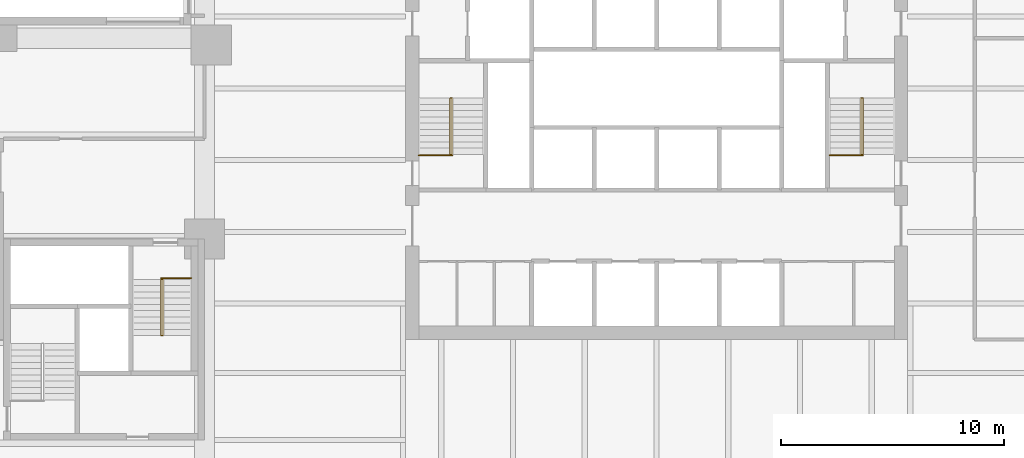
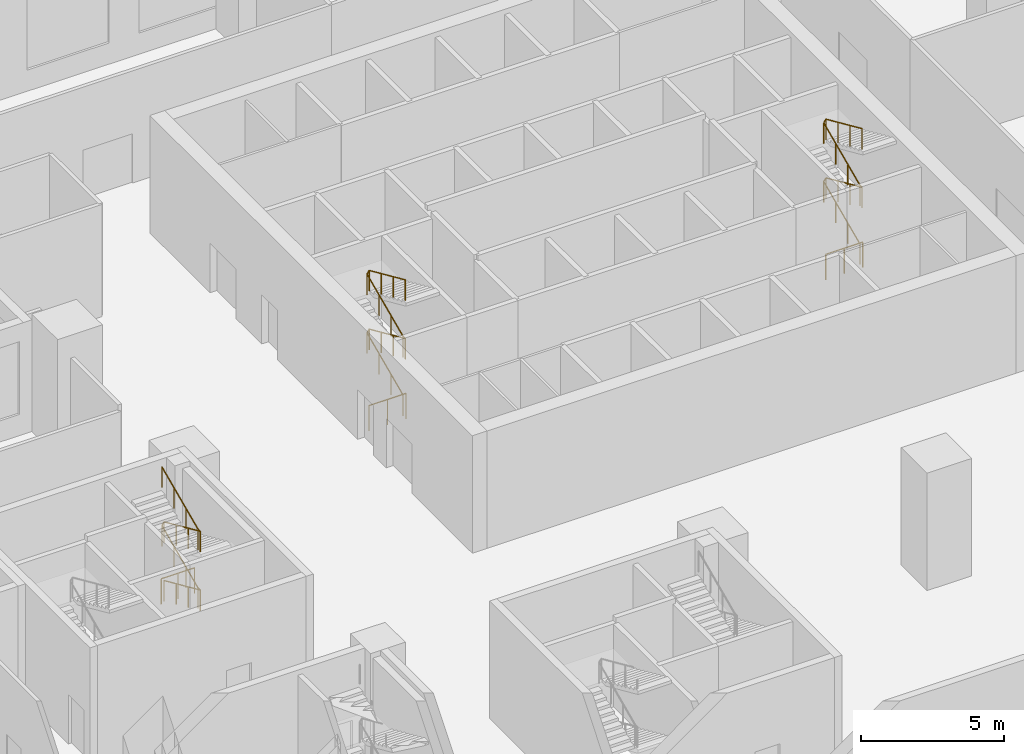
# One storey, part 12 of 12: 6 railings.
"""IFC4 building model written with IfcOpenShell, lengths in metres."""

from ifc_helpers import new_model, si_unit, direction, frame, origin, origin_2d, place, context, subcontext, project, spatial, circle, extrude, material, type_object, element, save


model = new_model("IFC4")

# Units and contexts
model_context = context("Model", 3, precision=1e-05, world=origin(), true_north=direction((0.0, 1.0)))
body_context = subcontext(model_context, "Body", "Model", "MODEL_VIEW")
ifc_project = project(units=[si_unit("LENGTHUNIT", "METRE"), si_unit("AREAUNIT", "SQUARE_METRE"), si_unit("VOLUMEUNIT", "CUBIC_METRE"), si_unit("PLANEANGLEUNIT", "RADIAN"), si_unit("MASSUNIT", "GRAM", prefix="KILO")], contexts=[model_context])

# Site, building, storey
site_placement = place(None, origin())
site = spatial("IfcSite", under=ifc_project, at=site_placement, CompositionType="ELEMENT")
building_placement = place(site_placement, origin())
building = spatial("IfcBuilding", under=site, at=building_placement, Name="Quoin Convention Tower", CompositionType="ELEMENT")
storey_placement = place(building_placement, frame((0.0, 0.0, 13.5)))
storey = spatial("IfcBuildingStorey", under=building, at=storey_placement, Name="L02", CompositionType="ELEMENT", Elevation=13.5)

# Railings
ifc_material = material(Name="Stainless steel", Category="steel")
railing_type_1 = type_object("IfcRailingType", Name="Stair handrail 900", PredefinedType="HANDRAIL", material=ifc_material)
railing_1_placement = place(storey_placement, frame((47.0048828125, 57.800048828125, 0.125)))
element("IfcRailing", 1, at=railing_1_placement, inside=storey, type_object=railing_type_1, Name="SD1 handrail 1", PredefinedType="HANDRAIL", context=body_context, shape_type="SweptSolid", body=[
    extrude(circle(Radius=0.02392578125, at=origin_2d()), frame((0.0, 0.0, 0.8759765625), z_axis=(0.0, 0.913139058521, 0.407648205936), x_axis=(-1.0, 0.0, 0.0)), (0.0, 0.0, 1.0), 2.759765625),
    extrude(circle(Radius=0.02392578125, at=origin_2d()), frame((0.0, 2.52001953125, 2.0009765625), z_axis=(0.584680334893, 0.0, 0.811263770909), x_axis=(0.0, 1.0, 0.0)), (0.0, 0.0, 1.0), 0.154052734375),
    extrude(circle(Radius=0.02392578125, at=origin_2d()), frame((0.090087890625, 2.52001953125, 2.1259765625), z_axis=(0.0, -0.913139058521, 0.407648205936), x_axis=(1.0, 0.0, 0.0)), (0.0, 0.0, 1.0), 2.759765625),
    extrude(circle(Radius=0.02392578125, at=origin_2d()), frame((0.090087890625, 0.0, 3.2509765625), z_axis=(-0.584680334893, 0.0, 0.811263770909), x_axis=(0.0, -1.0, 0.0)), (0.0, 0.0, 1.0), 0.154052734375),
    extrude(circle(Radius=0.02392578125, at=origin_2d()), frame((0.0, 0.0, 3.3759765625), z_axis=(0.0, 0.913139058521, 0.407648205936), x_axis=(-1.0, 0.0, 0.0)), (0.0, 0.0, 1.0), 2.759765625),
    extrude(circle(Radius=0.02392578125, at=origin_2d()), frame((0.0, 2.52001953125, 4.5009765625), z_axis=(0.584680334893, 0.0, 0.811263770909), x_axis=(0.0, 1.0, 0.0)), (0.0, 0.0, 1.0), 0.154052734375),
    extrude(circle(Radius=0.02392578125, at=origin_2d()), frame((0.090087890625, 2.52001953125, 4.6259765625), z_axis=(0.0, -0.913139058521, 0.407648205936), x_axis=(1.0, 0.0, 0.0)), (0.0, 0.0, 1.0), 2.759765625),
    extrude(circle(Radius=0.02099609375, at=origin_2d()), origin(), (0.0, 0.0, 1.0), 0.851806640625),
    extrude(circle(Radius=0.02099609375, at=origin_2d()), frame((0.0, 0.840087890625, 0.375)), (0.0, 0.0, 1.0), 0.851806640625),
    extrude(circle(Radius=0.02099609375, at=origin_2d()), frame((0.0, 1.679931640625, 0.75)), (0.0, 0.0, 1.0), 0.851806640625),
    extrude(circle(Radius=0.02099609375, at=origin_2d()), frame((0.0, 2.52001953125, 1.125)), (0.0, 0.0, 1.0), 0.851806640625),
    extrude(circle(Radius=0.02099609375, at=origin_2d()), frame((0.090087890625, 2.52001953125, 1.25)), (0.0, 0.0, 1.0), 0.851806640625),
    extrude(circle(Radius=0.02099609375, at=origin_2d()), frame((0.090087890625, 1.679931640625, 1.625)), (0.0, 0.0, 1.0), 0.851806640625),
    extrude(circle(Radius=0.02099609375, at=origin_2d()), frame((0.090087890625, 0.840087890625, 2.0)), (0.0, 0.0, 1.0), 0.851806640625),
    extrude(circle(Radius=0.02099609375, at=origin_2d()), frame((0.090087890625, 0.0, 2.375)), (0.0, 0.0, 1.0), 0.851806640625),
    extrude(circle(Radius=0.02099609375, at=origin_2d()), frame((0.0, 0.0, 2.5)), (0.0, 0.0, 1.0), 0.851806640625),
    extrude(circle(Radius=0.02099609375, at=origin_2d()), frame((0.0, 0.840087890625, 2.875)), (0.0, 0.0, 1.0), 0.851806640625),
    extrude(circle(Radius=0.02099609375, at=origin_2d()), frame((0.0, 1.679931640625, 3.25)), (0.0, 0.0, 1.0), 0.851806640625),
    extrude(circle(Radius=0.02099609375, at=origin_2d()), frame((0.0, 2.52001953125, 3.625)), (0.0, 0.0, 1.0), 0.851806640625),
    extrude(circle(Radius=0.02099609375, at=origin_2d()), frame((0.090087890625, 2.52001953125, 3.75)), (0.0, 0.0, 1.0), 0.851806640625),
    extrude(circle(Radius=0.02099609375, at=origin_2d()), frame((0.090087890625, 1.679931640625, 4.125)), (0.0, 0.0, 1.0), 0.851806640625),
    extrude(circle(Radius=0.02099609375, at=origin_2d()), frame((0.090087890625, 0.840087890625, 4.5)), (0.0, 0.0, 1.0), 0.851806640625),
    extrude(circle(Radius=0.02099609375, at=origin_2d()), frame((0.090087890625, 0.0, 4.875)), (0.0, 0.0, 1.0), 0.851806640625),
])
railing_2_placement = place(storey_placement, frame((65.405029296875, 57.800048828125, 0.125)))
element("IfcRailing", 2, at=railing_2_placement, inside=storey, type_object=railing_type_1, Name="SD2 handrail 1", PredefinedType="HANDRAIL", context=body_context, shape_type="SweptSolid", body=[
    extrude(circle(Radius=0.02392578125, at=origin_2d()), frame((0.0, 0.0, 0.8759765625), z_axis=(0.0, 0.913139058521, 0.407648205936), x_axis=(-1.0, 0.0, 0.0)), (0.0, 0.0, 1.0), 2.759765625),
    extrude(circle(Radius=0.02392578125, at=origin_2d()), frame((0.0, 2.52001953125, 2.0009765625), z_axis=(0.584680334893, 0.0, 0.811263770909), x_axis=(0.0, 1.0, 0.0)), (0.0, 0.0, 1.0), 0.154052734375),
    extrude(circle(Radius=0.02392578125, at=origin_2d()), frame((0.090087890625, 2.52001953125, 2.1259765625), z_axis=(0.0, -0.913139058521, 0.407648205936), x_axis=(1.0, 0.0, 0.0)), (0.0, 0.0, 1.0), 2.759765625),
    extrude(circle(Radius=0.02392578125, at=origin_2d()), frame((0.090087890625, 0.0, 3.2509765625), z_axis=(-0.584680334893, 0.0, 0.811263770909), x_axis=(0.0, -1.0, 0.0)), (0.0, 0.0, 1.0), 0.154052734375),
    extrude(circle(Radius=0.02392578125, at=origin_2d()), frame((0.0, 0.0, 3.3759765625), z_axis=(0.0, 0.913139058521, 0.407648205936), x_axis=(-1.0, 0.0, 0.0)), (0.0, 0.0, 1.0), 2.759765625),
    extrude(circle(Radius=0.02392578125, at=origin_2d()), frame((0.0, 2.52001953125, 4.5009765625), z_axis=(0.584680334893, 0.0, 0.811263770909), x_axis=(0.0, 1.0, 0.0)), (0.0, 0.0, 1.0), 0.154052734375),
    extrude(circle(Radius=0.02392578125, at=origin_2d()), frame((0.090087890625, 2.52001953125, 4.6259765625), z_axis=(0.0, -0.913139058521, 0.407648205936), x_axis=(1.0, 0.0, 0.0)), (0.0, 0.0, 1.0), 2.759765625),
    extrude(circle(Radius=0.02099609375, at=origin_2d()), origin(), (0.0, 0.0, 1.0), 0.851806640625),
    extrude(circle(Radius=0.02099609375, at=origin_2d()), frame((0.0, 0.840087890625, 0.375)), (0.0, 0.0, 1.0), 0.851806640625),
    extrude(circle(Radius=0.02099609375, at=origin_2d()), frame((0.0, 1.679931640625, 0.75)), (0.0, 0.0, 1.0), 0.851806640625),
    extrude(circle(Radius=0.02099609375, at=origin_2d()), frame((0.0, 2.52001953125, 1.125)), (0.0, 0.0, 1.0), 0.851806640625),
    extrude(circle(Radius=0.02099609375, at=origin_2d()), frame((0.090087890625, 2.52001953125, 1.25)), (0.0, 0.0, 1.0), 0.851806640625),
    extrude(circle(Radius=0.02099609375, at=origin_2d()), frame((0.090087890625, 1.679931640625, 1.625)), (0.0, 0.0, 1.0), 0.851806640625),
    extrude(circle(Radius=0.02099609375, at=origin_2d()), frame((0.090087890625, 0.840087890625, 2.0)), (0.0, 0.0, 1.0), 0.851806640625),
    extrude(circle(Radius=0.02099609375, at=origin_2d()), frame((0.090087890625, 0.0, 2.375)), (0.0, 0.0, 1.0), 0.851806640625),
    extrude(circle(Radius=0.02099609375, at=origin_2d()), frame((0.0, 0.0, 2.5)), (0.0, 0.0, 1.0), 0.851806640625),
    extrude(circle(Radius=0.02099609375, at=origin_2d()), frame((0.0, 0.840087890625, 2.875)), (0.0, 0.0, 1.0), 0.851806640625),
    extrude(circle(Radius=0.02099609375, at=origin_2d()), frame((0.0, 1.679931640625, 3.25)), (0.0, 0.0, 1.0), 0.851806640625),
    extrude(circle(Radius=0.02099609375, at=origin_2d()), frame((0.0, 2.52001953125, 3.625)), (0.0, 0.0, 1.0), 0.851806640625),
    extrude(circle(Radius=0.02099609375, at=origin_2d()), frame((0.090087890625, 2.52001953125, 3.75)), (0.0, 0.0, 1.0), 0.851806640625),
    extrude(circle(Radius=0.02099609375, at=origin_2d()), frame((0.090087890625, 1.679931640625, 4.125)), (0.0, 0.0, 1.0), 0.851806640625),
    extrude(circle(Radius=0.02099609375, at=origin_2d()), frame((0.090087890625, 0.840087890625, 4.5)), (0.0, 0.0, 1.0), 0.851806640625),
    extrude(circle(Radius=0.02099609375, at=origin_2d()), frame((0.090087890625, 0.0, 4.875)), (0.0, 0.0, 1.0), 0.851806640625),
])
railing_3_placement = place(storey_placement, frame((34.14501953125, 52.199951171875, 0.125)))
element("IfcRailing", 3, at=railing_3_placement, inside=storey, type_object=railing_type_1, Name="SD4 handrail 1", PredefinedType="HANDRAIL", context=body_context, shape_type="SweptSolid", body=[
    extrude(circle(Radius=0.02392578125, at=origin_2d()), frame((0.0, 0.0, 0.8759765625), z_axis=(0.0, -0.913139058521, 0.407648205936), x_axis=(1.0, 0.0, 0.0)), (0.0, 0.0, 1.0), 2.759765625),
    extrude(circle(Radius=0.02392578125, at=origin_2d()), frame((0.0, -2.52001953125, 2.0009765625), z_axis=(-0.584680334893, 0.0, 0.811263770909), x_axis=(0.0, -1.0, 0.0)), (0.0, 0.0, 1.0), 0.154052734375),
    extrude(circle(Radius=0.02392578125, at=origin_2d()), frame((-0.090087890625, -2.52001953125, 2.1259765625), z_axis=(0.0, 0.913139058521, 0.407648205936), x_axis=(-1.0, 0.0, 0.0)), (0.0, 0.0, 1.0), 2.759765625),
    extrude(circle(Radius=0.02392578125, at=origin_2d()), frame((-0.090087890625, 0.0, 3.2509765625), z_axis=(0.584680334893, 0.0, 0.811263770909), x_axis=(0.0, 1.0, 0.0)), (0.0, 0.0, 1.0), 0.154052734375),
    extrude(circle(Radius=0.02392578125, at=origin_2d()), frame((0.0, 0.0, 3.3759765625), z_axis=(0.0, -0.913139058521, 0.407648205936), x_axis=(1.0, 0.0, 0.0)), (0.0, 0.0, 1.0), 2.759765625),
    extrude(circle(Radius=0.02392578125, at=origin_2d()), frame((0.0, -2.52001953125, 4.5009765625), z_axis=(-0.584680334893, 0.0, 0.811263770909), x_axis=(0.0, -1.0, 0.0)), (0.0, 0.0, 1.0), 0.154052734375),
    extrude(circle(Radius=0.02392578125, at=origin_2d()), frame((-0.090087890625, -2.52001953125, 4.6259765625), z_axis=(0.0, 0.913139058521, 0.407648205936), x_axis=(-1.0, 0.0, 0.0)), (0.0, 0.0, 1.0), 2.759765625),
    extrude(circle(Radius=0.02099609375, at=origin_2d()), origin(), (0.0, 0.0, 1.0), 0.851806640625),
    extrude(circle(Radius=0.02099609375, at=origin_2d()), frame((0.0, -0.840087890625, 0.375)), (0.0, 0.0, 1.0), 0.851806640625),
    extrude(circle(Radius=0.02099609375, at=origin_2d()), frame((0.0, -1.679931640625, 0.75)), (0.0, 0.0, 1.0), 0.851806640625),
    extrude(circle(Radius=0.02099609375, at=origin_2d()), frame((0.0, -2.52001953125, 1.125)), (0.0, 0.0, 1.0), 0.851806640625),
    extrude(circle(Radius=0.02099609375, at=origin_2d()), frame((-0.090087890625, -2.52001953125, 1.25)), (0.0, 0.0, 1.0), 0.851806640625),
    extrude(circle(Radius=0.02099609375, at=origin_2d()), frame((-0.090087890625, -1.679931640625, 1.625)), (0.0, 0.0, 1.0), 0.851806640625),
    extrude(circle(Radius=0.02099609375, at=origin_2d()), frame((-0.090087890625, -0.840087890625, 2.0)), (0.0, 0.0, 1.0), 0.851806640625),
    extrude(circle(Radius=0.02099609375, at=origin_2d()), frame((-0.090087890625, 0.0, 2.375)), (0.0, 0.0, 1.0), 0.851806640625),
    extrude(circle(Radius=0.02099609375, at=origin_2d()), frame((0.0, 0.0, 2.5)), (0.0, 0.0, 1.0), 0.851806640625),
    extrude(circle(Radius=0.02099609375, at=origin_2d()), frame((0.0, -0.840087890625, 2.875)), (0.0, 0.0, 1.0), 0.851806640625),
    extrude(circle(Radius=0.02099609375, at=origin_2d()), frame((0.0, -1.679931640625, 3.25)), (0.0, 0.0, 1.0), 0.851806640625),
    extrude(circle(Radius=0.02099609375, at=origin_2d()), frame((0.0, -2.52001953125, 3.625)), (0.0, 0.0, 1.0), 0.851806640625),
    extrude(circle(Radius=0.02099609375, at=origin_2d()), frame((-0.090087890625, -2.52001953125, 3.75)), (0.0, 0.0, 1.0), 0.851806640625),
    extrude(circle(Radius=0.02099609375, at=origin_2d()), frame((-0.090087890625, -1.679931640625, 4.125)), (0.0, 0.0, 1.0), 0.851806640625),
    extrude(circle(Radius=0.02099609375, at=origin_2d()), frame((-0.090087890625, -0.840087890625, 4.5)), (0.0, 0.0, 1.0), 0.851806640625),
    extrude(circle(Radius=0.02099609375, at=origin_2d()), frame((-0.090087890625, 0.0, 4.875)), (0.0, 0.0, 1.0), 0.851806640625),
])
railing_type_2 = type_object("IfcRailingType", Name="Stair top guard 1100", PredefinedType="GUARDRAIL", material=ifc_material)
railing_4_placement = place(storey_placement, frame((45.60009765625, 57.75, 0.0)))
element("IfcRailing", 4, at=railing_4_placement, inside=storey, type_object=railing_type_2, Name="SD1 top guard", PredefinedType="GUARDRAIL", context=body_context, shape_type="SweptSolid", body=[
    extrude(circle(Radius=0.02392578125, at=origin_2d()), frame((0.0, 0.0, 1.076171875), z_axis=(1.0, 0.0, 0.0), x_axis=(0.0, 1.0, 0.0)), (0.0, 0.0, 1.0), 1.494873046875),
    extrude(circle(Radius=0.02099609375, at=origin_2d()), origin(), (0.0, 0.0, 1.0), 1.052001953125),
    extrude(circle(Radius=0.02099609375, at=origin_2d()), frame((0.74755859375, 0.0, 0.0)), (0.0, 0.0, 1.0), 1.052001953125),
    extrude(circle(Radius=0.02099609375, at=origin_2d()), frame((1.494873046875, 0.0, 0.0)), (0.0, 0.0, 1.0), 1.052001953125),
])
railing_5_placement = place(storey_placement, frame((64.0, 57.75, 0.0)))
element("IfcRailing", 5, at=railing_5_placement, inside=storey, type_object=railing_type_2, Name="SD2 top guard", PredefinedType="GUARDRAIL", context=body_context, shape_type="SweptSolid", body=[
    extrude(circle(Radius=0.02392578125, at=origin_2d()), frame((0.0, 0.0, 1.076171875), z_axis=(1.0, 0.0, 0.0), x_axis=(0.0, 1.0, 0.0)), (0.0, 0.0, 1.0), 1.4951171875),
    extrude(circle(Radius=0.02099609375, at=origin_2d()), origin(), (0.0, 0.0, 1.0), 1.052001953125),
    extrude(circle(Radius=0.02099609375, at=origin_2d()), frame((0.74755859375, 0.0, 0.0)), (0.0, 0.0, 1.0), 1.052001953125),
    extrude(circle(Radius=0.02099609375, at=origin_2d()), frame((1.4951171875, 0.0, 0.0)), (0.0, 0.0, 1.0), 1.052001953125),
])
railing_6_placement = place(storey_placement, frame((35.39990234375, 52.25, 0.0)))
element("IfcRailing", 6, at=railing_6_placement, inside=storey, type_object=railing_type_2, Name="SD4 top guard", PredefinedType="GUARDRAIL", context=body_context, shape_type="SweptSolid", body=[
    extrude(circle(Radius=0.02392578125, at=origin_2d()), frame((0.0, 0.0, 1.076171875), z_axis=(-1.0, 0.0, 0.0), x_axis=(0.0, -1.0, 0.0)), (0.0, 0.0, 1.0), 1.344970703125),
    extrude(circle(Radius=0.02099609375, at=origin_2d()), origin(), (0.0, 0.0, 1.0), 1.052001953125),
    extrude(circle(Radius=0.02099609375, at=origin_2d()), frame((-0.67236328125, 0.0, 0.0)), (0.0, 0.0, 1.0), 1.052001953125),
    extrude(circle(Radius=0.02099609375, at=origin_2d()), frame((-1.344970703125, 0.0, 0.0)), (0.0, 0.0, 1.0), 1.052001953125),
])

save(model, "model.ifc")
